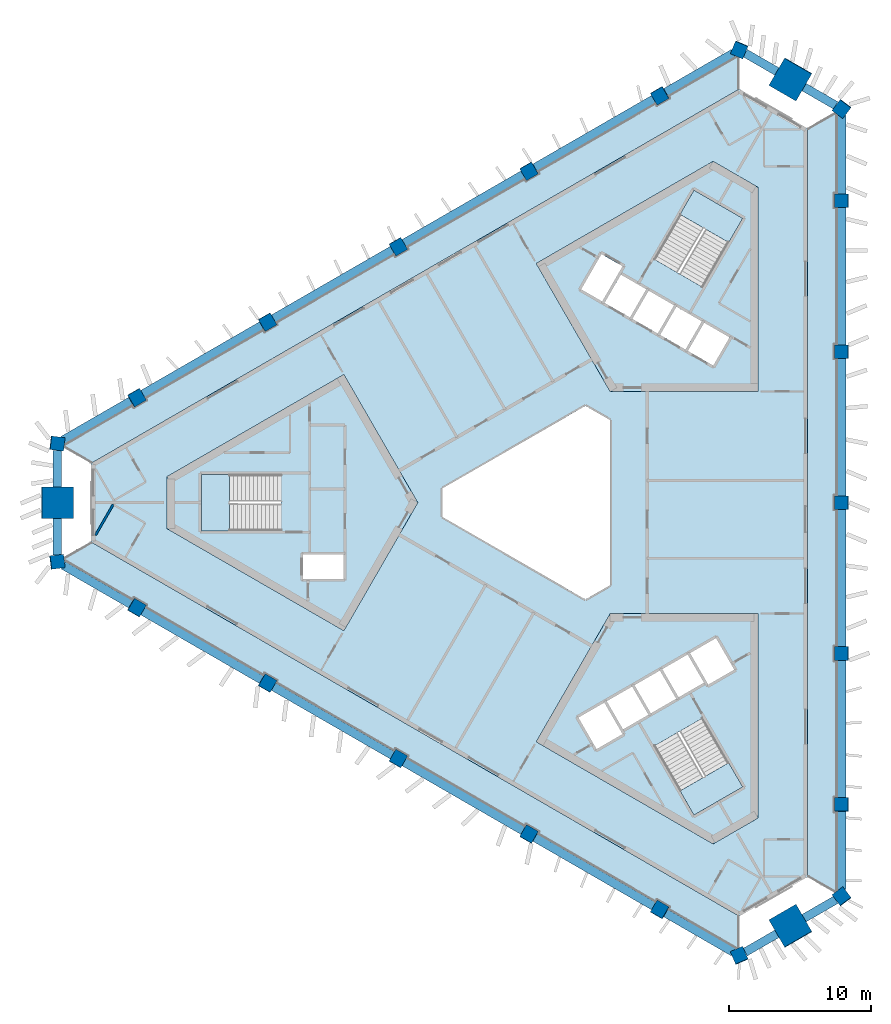
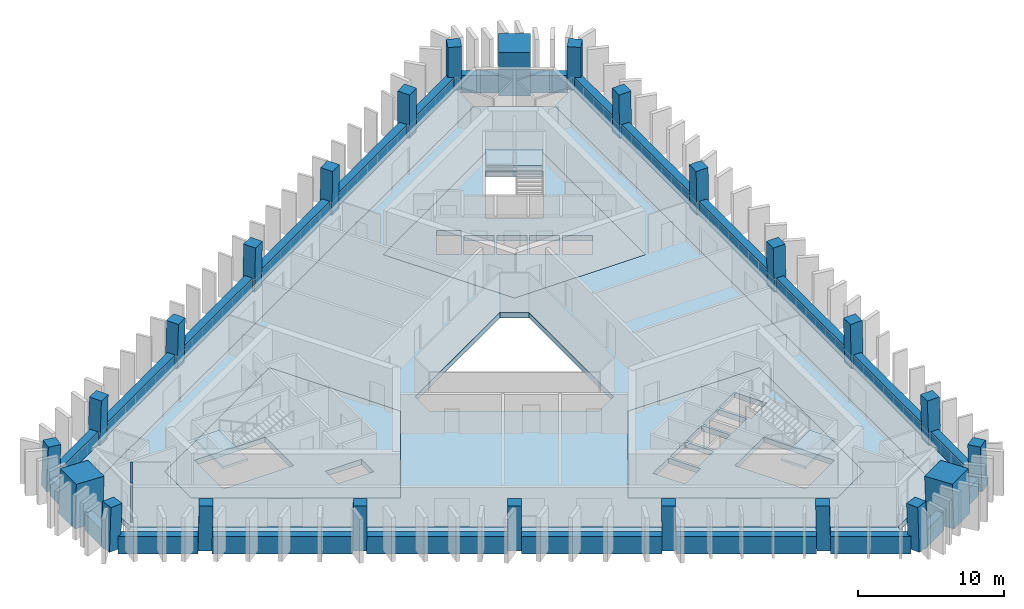
# One storey, part 1 of 9: 24 beams, 24 columns, 10 slabs, 1 wall, 3 elements without a shape of their own.
"""IFC4 building model written with IfcOpenShell, lengths in metres."""

from ifc_helpers import new_model, si_unit, direction, frame, frame_2d, origin, origin_2d, place, context, subcontext, project, spatial, polyline, rectangle, outline, extrude, material, layer, layer_set, material_profile, profile_set, type_object, element, aggregate, save


model = new_model("IFC4")

# Units and contexts
model_context = context("Model", 3, precision=1e-05, world=origin(), true_north=direction((0.0, 1.0)))
body_context = subcontext(model_context, "Body", "Model", "MODEL_VIEW")
ifc_project = project(units=[si_unit("LENGTHUNIT", "METRE"), si_unit("AREAUNIT", "SQUARE_METRE"), si_unit("VOLUMEUNIT", "CUBIC_METRE"), si_unit("PLANEANGLEUNIT", "RADIAN"), si_unit("MASSUNIT", "GRAM", prefix="KILO")], contexts=[model_context])

# Site, building, storey
site_placement = place(None, origin())
site = spatial("IfcSite", under=ifc_project, at=site_placement, CompositionType="ELEMENT")
building_placement = place(site_placement, origin())
building = spatial("IfcBuilding", under=site, at=building_placement, Name="Jabali Bay Hotel Tower and Convention Centre", CompositionType="ELEMENT")
storey_placement = place(building_placement, frame((0.0, 0.0, 193.300048828125)))
storey = spatial("IfcBuildingStorey", under=building, at=storey_placement, Name="L47", CompositionType="ELEMENT", Elevation=193.300048828125)

# Columns
ifc_material_1 = material(Name="Concrete C60", Category="concrete")
ifc_material_profile_1 = material_profile(ifc_material_1, rectangle(XDim=0.949951171875, YDim=0.949951171875, at=origin_2d()), Name="Frame column 950")
ifc_profile_set_1 = profile_set([ifc_material_profile_1], Name="Concrete C60")
column_type_1 = type_object("IfcColumnType", Name="Frame column 950", PredefinedType="COLUMN", material=ifc_profile_set_1)
column_1_placement = place(storey_placement, frame((82.98046875, 108.5712890625, 0.0), z_axis=(-0.008310502618, -0.028163369983, 0.999568787096), x_axis=(0.864766604783, 0.501720959522, 0.021325994188)))
element("IfcColumn", 1, at=column_1_placement, inside=storey, type_object=column_type_1, Name="FC4 F1.1 L47", PredefinedType="COLUMN", context=body_context, shape_type="SweptSolid", body=[
    extrude(rectangle(XDim=0.949951171875, YDim=0.949951171875, at=origin_2d()), origin(), (0.0, 0.0, 1.0), 3.70166015625),
])
column_2_placement = place(storey_placement, frame((73.802001953125, 103.27197265625, 0.0), z_axis=(0.000857578916, -0.022824792675, 0.999739112668), x_axis=(0.866054303765, 0.499836094294, 0.010668728649)))
element("IfcColumn", 2, at=column_2_placement, inside=storey, type_object=column_type_1, Name="FC4 F1.2 L47", PredefinedType="COLUMN", context=body_context, shape_type="SweptSolid", body=[
    extrude(rectangle(XDim=0.949951171875, YDim=0.949951171875, at=origin_2d()), origin(), (0.0, 0.0, 1.0), 3.700927734375),
])
column_3_placement = place(storey_placement, frame((64.62353515625, 97.97265625, 0.0), z_axis=(0.010093620709, -0.017482414954, 0.999796221231), x_axis=(0.866020200589, 0.50000901209, 8.5616e-08)))
element("IfcColumn", 3, at=column_3_placement, inside=storey, type_object=column_type_1, Name="FC4 F1.3 L47", PredefinedType="COLUMN", context=body_context, shape_type="SweptSolid", body=[
    extrude(rectangle(XDim=0.949951171875, YDim=0.949951171875, at=origin_2d()), origin(), (0.0, 0.0, 1.0), 3.70068359375),
])
column_4_placement = place(storey_placement, frame((55.44482421875, 92.673583984375, 0.0), z_axis=(0.019328501455, -0.012204002625, 0.999738701537), x_axis=(-0.498096589224, 0.866885952098, 0.020212220507)))
element("IfcColumn", 4, at=column_4_placement, inside=storey, type_object=column_type_1, Name="FC4 F1.4 L47", PredefinedType="COLUMN", context=body_context, shape_type="SweptSolid", body=[
    extrude(rectangle(XDim=0.949951171875, YDim=0.949951171875, at=origin_2d()), origin(), (0.0, 0.0, 1.0), 3.700927734375),
])
for number, where, z_axis, x_axis, name in (
    (5, (46.266357421875, 87.374267578125, 0.0), (0.02855911485, -0.006793507689, 0.999569019734), (-0.500407643461, 0.865554709988, 0.020180049142), "FC4 F1.5 L47"),
    (6, (46.266357421875, 72.625732421875, 0.0), (0.02855911485, 0.006793507689, 0.999569019734), (-0.865318766308, 0.500768301983, 0.021319953197), "FC4 F2.1 L47"),
):
    element("IfcColumn", number, at=place(storey_placement, frame(where, z_axis=z_axis, x_axis=x_axis)), inside=storey, type_object=column_type_1, Name=name, PredefinedType="COLUMN", context=body_context, shape_type="SweptSolid", body=[
        extrude(rectangle(XDim=0.949951171875, YDim=0.949951171875, at=origin_2d()), origin(), (0.0, 0.0, 1.0), 3.70166015625),
    ])
column_5_placement = place(storey_placement, frame((55.44482421875, 67.326416015625, 0.0), z_axis=(0.019328501455, 0.012204002625, 0.999738701537), x_axis=(-0.866906106124, 0.498357109285, 0.010676834304)))
element("IfcColumn", 7, at=column_5_placement, inside=storey, type_object=column_type_1, Name="FC4 F2.2 L47", PredefinedType="COLUMN", context=body_context, shape_type="SweptSolid", body=[
    extrude(rectangle(XDim=0.949951171875, YDim=0.949951171875, at=origin_2d()), origin(), (0.0, 0.0, 1.0), 3.700927734375),
])
column_6_placement = place(storey_placement, frame((64.62353515625, 62.02734375, 0.0), z_axis=(0.010093620709, 0.017482414954, 0.999796221231), x_axis=(-0.499907122366, -0.865843723195, 0.020187025824)))
element("IfcColumn", 8, at=column_6_placement, inside=storey, type_object=column_type_1, Name="FC4 F2.3 L47", PredefinedType="COLUMN", context=body_context, shape_type="SweptSolid", body=[
    extrude(rectangle(XDim=0.949951171875, YDim=0.949951171875, at=origin_2d()), origin(), (0.0, 0.0, 1.0), 3.70068359375),
])
column_7_placement = place(storey_placement, frame((73.802001953125, 56.72802734375, 0.0), z_axis=(0.000857578916, 0.022824792675, 0.999739112668), x_axis=(-0.499949204908, -0.865819211891, 0.020196158824)))
element("IfcColumn", 9, at=column_7_placement, inside=storey, type_object=column_type_1, Name="FC4 F2.4 L47", PredefinedType="COLUMN", context=body_context, shape_type="SweptSolid", body=[
    extrude(rectangle(XDim=0.949951171875, YDim=0.949951171875, at=origin_2d()), origin(), (0.0, 0.0, 1.0), 3.700927734375),
])
for number, where, z_axis, x_axis, name in (
    (10, (82.98046875, 51.4287109375, 0.0), (-0.008310502618, 0.028163369983, 0.999568787096), (-0.502105222835, -0.864570935995, 0.020185188492), "FC4 F2.5 L47"),
    (11, (95.753173828125, 58.802978515625, 0.0), (-0.020182659751, 0.021303918626, 0.999569308901), (0.000221583953, -0.999772833408, 0.021312730444), "FC4 F0.1 L47"),
):
    element("IfcColumn", number, at=place(storey_placement, frame(where, z_axis=z_axis, x_axis=x_axis)), inside=storey, type_object=column_type_1, Name=name, PredefinedType="COLUMN", context=body_context, shape_type="SweptSolid", body=[
        extrude(rectangle(XDim=0.949951171875, YDim=0.949951171875, at=origin_2d()), origin(), (0.0, 0.0, 1.0), 3.70166015625),
    ])
column_8_placement = place(storey_placement, frame((95.753173828125, 69.4013671875, 0.0), z_axis=(-0.020186088539, 0.010686752756, 0.999739123544), x_axis=(-0.001028908277, -0.999942564287, 0.010668152391)))
element("IfcColumn", 12, at=column_8_placement, inside=storey, type_object=column_type_1, Name="FC4 F0.2 L47", PredefinedType="COLUMN", context=body_context, shape_type="SweptSolid", body=[
    extrude(rectangle(XDim=0.949951171875, YDim=0.949951171875, at=origin_2d()), origin(), (0.0, 0.0, 1.0), 3.700927734375),
])
column_9_placement = place(storey_placement, frame((95.753173828125, 80.0, 0.0), z_axis=(-0.020187241331, 0.0, 0.99979621688), x_axis=(0.0, -1.0, 0.0)))
element("IfcColumn", 13, at=column_9_placement, inside=storey, type_object=column_type_1, Name="FC4 F0.3 L47", PredefinedType="COLUMN", context=body_context, shape_type="SweptSolid", body=[
    extrude(rectangle(XDim=0.949951171875, YDim=0.949951171875, at=origin_2d()), origin(), (0.0, 0.0, 1.0), 3.70068359375),
])
column_10_placement = place(storey_placement, frame((95.753173828125, 90.5986328125, 0.0), z_axis=(-0.020186088539, -0.010686752756, 0.999739123544), x_axis=(0.999795710722, 0.00081329159, 0.020195924825)))
element("IfcColumn", 14, at=column_10_placement, inside=storey, type_object=column_type_1, Name="FC4 F0.4 L47", PredefinedType="COLUMN", context=body_context, shape_type="SweptSolid", body=[
    extrude(rectangle(XDim=0.949951171875, YDim=0.949951171875, at=origin_2d()), origin(), (0.0, 0.0, 1.0), 3.700927734375),
])
column_11_placement = place(storey_placement, frame((95.753173828125, 101.197021484375, 0.0), z_axis=(-0.020182659751, -0.021303918626, 0.999569308901), x_axis=(0.999796284823, -0.000651636106, 0.020173354318)))
element("IfcColumn", 15, at=column_11_placement, inside=storey, type_object=column_type_1, Name="FC4 F0.5 L47", PredefinedType="COLUMN", context=body_context, shape_type="SweptSolid", body=[
    extrude(rectangle(XDim=0.949951171875, YDim=0.949951171875, at=origin_2d()), origin(), (0.0, 0.0, 1.0), 3.70166015625),
])
for number, where, z_axis, x_axis, name in (
    (16, (95.753173828125, 52.3544921875, 0.0), (-0.020178741915, 0.029015184452, 0.999375273581), (-0.799848308071, -0.60020084672, 0.001275802724), "FC4 V0 L47"),
    (17, (95.753173828125, 107.6455078125, 0.0), (-0.020178741915, -0.029015184452, 0.999375273581), (0.599862903046, 0.799322877608, 0.035319044175), "FC4 V1 L47"),
    (18, (88.565185546875, 111.795654296875, 0.0), (-0.015035141917, -0.031982648376, 0.99937533225), (0.919749964483, -0.392502706261, 0.001276092337), "FC4 V2 L47"),
    (19, (40.681640625, 84.14990234375, 0.0), (0.03521388716, -0.002967462401, 0.999375393092), (-0.992164414229, 0.119843979966, 0.035315656635), "FC4 V3 L47"),
    (20, (40.681640625, 75.85009765625, 0.0), (0.03521388716, 0.002967462401, 0.999375393092), (-0.119873922472, 0.99278830303, 0.001275961792), "FC4 V4 L47"),
    (21, (88.565185546875, 48.204345703125, 0.0), (-0.015035141917, 0.031982648376, 0.99937533225), (0.392216709666, -0.919194612572, 0.0353173736), "FC4 V5 L47"),
):
    element("IfcColumn", number, at=place(storey_placement, frame(where, z_axis=z_axis, x_axis=x_axis)), inside=storey, type_object=column_type_1, Name=name, PredefinedType="COLUMN", context=body_context, shape_type="SweptSolid", body=[
        extrude(rectangle(XDim=0.949951171875, YDim=0.949951171875, at=origin_2d()), origin(), (0.0, 0.0, 1.0), 3.7021484375),
    ])
ifc_material_2 = material(Name="Concrete C70", Category="concrete")
ifc_material_profile_2 = material_profile(ifc_material_2, rectangle(XDim=2.199951171875, YDim=2.199951171875, at=origin_2d()), Name="Mega column 2200")
ifc_profile_set_2 = profile_set([ifc_material_profile_2], Name="Concrete C70")
column_type_2 = type_object("IfcColumnType", Name="Mega column 2200", PredefinedType="COLUMN", material=ifc_profile_set_2)
for number, where, z_axis, x_axis, name in (
    (22, (92.1591796875, 109.720458984375, 0.0), (-0.017607037296, -0.030466109479, 0.999380712447), (0.500064653071, 0.865272876704, 0.035187946645), "MC4 M1 L47"),
    (23, (40.681640625, 80.0, 0.0), (0.035214042205, 0.0, 0.999379793288), (0.0, 1.0, 0.0), "MC4 M0 L47"),
    (24, (92.1591796875, 50.279541015625, 0.0), (-0.017607037296, 0.030466109479, 0.999380712447), (-0.865809063816, -0.500374524745, 1.32655e-07), "MC4 M2 L47"),
):
    element("IfcColumn", number, at=place(storey_placement, frame(where, z_axis=z_axis, x_axis=x_axis)), inside=storey, type_object=column_type_2, Name=name, PredefinedType="COLUMN", context=body_context, shape_type="SweptSolid", body=[
        extrude(rectangle(XDim=2.199951171875, YDim=2.199951171875, at=origin_2d()), origin(), (0.0, 0.0, 1.0), 3.7021484375),
    ])

# Beams
ifc_material_profile_3 = material_profile(ifc_material_1, rectangle(XDim=0.60009765625, YDim=1.449951171875, at=origin_2d()), Name="Spandrel 600x1450")
ifc_profile_set_3 = profile_set([ifc_material_profile_3], Name="Concrete C60")
beam_type = type_object("IfcBeamType", Name="Spandrel 600x1450", PredefinedType="SPANDREL", material=ifc_profile_set_3)
beam_1_placement = place(storey_placement, frame((91.199951171875, 110.259033203125, 0.375), z_axis=(-0.865992871316, 0.500056343656, 0.0), x_axis=(-0.500056343656, -0.865992871316, 0.0)))
element("IfcBeam", 25, at=beam_1_placement, inside=storey, type_object=beam_type, Name="Spandrel M1-V2 L47", PredefinedType="SPANDREL", context=body_context, shape_type="SweptSolid", body=[
    extrude(rectangle(XDim=0.60009765625, YDim=1.449951171875, at=origin_2d()), origin(), (0.0, 0.0, 1.0), 2.573974609375),
])
beam_2_placement = place(storey_placement, frame((88.148193359375, 111.546142578125, 0.375), z_axis=(-0.866003591944, -0.500037777312, 0.0), x_axis=(0.500037777312, -0.866003591944, 0.0)))
element("IfcBeam", 26, at=beam_2_placement, inside=storey, type_object=beam_type, Name="Spandrel V2-F1.1 L47", PredefinedType="SPANDREL", context=body_context, shape_type="SweptSolid", body=[
    extrude(rectangle(XDim=0.60009765625, YDim=1.449951171875, at=origin_2d()), origin(), (0.0, 0.0, 1.0), 5.49560546875),
])
for number, where, z_axis, x_axis, name in (
    (27, (82.566162109375, 108.3232421875, 0.375), (-0.866028773314, -0.499994163758, 0.0), (0.499994163758, -0.866028773314, 0.0), "Spandrel F1.1-F1.2 L47"),
    (28, (73.390869140625, 103.02587890625, 0.375), (-0.866022444854, -0.500005124982, 0.0), (0.500005124982, -0.866022444854, 0.0), "Spandrel F1.2-F1.3 L47"),
    (29, (64.2158203125, 97.728759765625, 0.375), (-0.866022444854, -0.500005124982, 0.0), (0.500005124982, -0.866022444854, 0.0), "Spandrel F1.3-F1.4 L47"),
    (30, (55.040771484375, 92.431396484375, 0.375), (-0.866028773314, -0.499994163758, 0.0), (0.499994163758, -0.866028773314, 0.0), "Spandrel F1.4-F1.5 L47"),
):
    element("IfcBeam", number, at=place(storey_placement, frame(where, z_axis=z_axis, x_axis=x_axis)), inside=storey, type_object=beam_type, Name=name, PredefinedType="SPANDREL", context=body_context, shape_type="SweptSolid", body=[
        extrude(rectangle(XDim=0.60009765625, YDim=1.449951171875, at=origin_2d()), origin(), (0.0, 0.0, 1.0), 9.64453125),
    ])
beam_3_placement = place(storey_placement, frame((45.86572265625, 87.13427734375, 0.375), z_axis=(-0.866033934735, -0.49998522367, 0.0), x_axis=(0.49998522367, -0.866033934735, 0.0)))
element("IfcBeam", 31, at=beam_3_placement, inside=storey, type_object=beam_type, Name="Spandrel F1.5-V3 L47", PredefinedType="SPANDREL", context=body_context, shape_type="SweptSolid", body=[
    extrude(rectangle(XDim=0.60009765625, YDim=1.449951171875, at=origin_2d()), origin(), (0.0, 0.0, 1.0), 5.495849609375),
])
for number, where, z_axis, x_axis, name in (
    (32, (40.69482421875, 83.673828125, 0.375), (0.0, -1.0, 0.0), (1.0, 0.0, 0.0), "Spandrel V3-M0 L47"),
    (33, (40.69482421875, 78.89990234375, 0.375), (0.0, -1.0, 0.0), (1.0, 0.0, 0.0), "Spandrel M0-V4 L47"),
):
    element("IfcBeam", number, at=place(storey_placement, frame(where, z_axis=z_axis, x_axis=x_axis)), inside=storey, type_object=beam_type, Name=name, PredefinedType="SPANDREL", context=body_context, shape_type="SweptSolid", body=[
        extrude(rectangle(XDim=0.60009765625, YDim=1.449951171875, at=origin_2d()), origin(), (0.0, 0.0, 1.0), 2.57373046875),
    ])
beam_4_placement = place(storey_placement, frame((41.106201171875, 75.613525390625, 0.375), z_axis=(0.866033934735, -0.49998522367, 0.0), x_axis=(0.49998522367, 0.866033934735, 0.0)))
element("IfcBeam", 34, at=beam_4_placement, inside=storey, type_object=beam_type, Name="Spandrel V4-F2.1 L47", PredefinedType="SPANDREL", context=body_context, shape_type="SweptSolid", body=[
    extrude(rectangle(XDim=0.60009765625, YDim=1.449951171875, at=origin_2d()), origin(), (0.0, 0.0, 1.0), 5.495849609375),
])
for number, where, z_axis, x_axis, name in (
    (35, (46.688232421875, 72.390869140625, 0.375), (0.866028773314, -0.499994163758, 0.0), (0.499994163758, 0.866028773314, 0.0), "Spandrel F2.1-F2.2 L47"),
    (36, (55.863525390625, 67.093505859375, 0.375), (0.866022444854, -0.500005124982, 0.0), (0.500005124982, 0.866022444854, 0.0), "Spandrel F2.2-F2.3 L47"),
    (37, (65.03857421875, 61.79638671875, 0.375), (0.866022444854, -0.500005124982, 0.0), (0.500005124982, 0.866022444854, 0.0), "Spandrel F2.3-F2.4 L47"),
    (38, (74.213623046875, 56.4990234375, 0.375), (0.866028773314, -0.499994163758, 0.0), (0.499994163758, 0.866028773314, 0.0), "Spandrel F2.4-F2.5 L47"),
):
    element("IfcBeam", number, at=place(storey_placement, frame(where, z_axis=z_axis, x_axis=x_axis)), inside=storey, type_object=beam_type, Name=name, PredefinedType="SPANDREL", context=body_context, shape_type="SweptSolid", body=[
        extrude(rectangle(XDim=0.60009765625, YDim=1.449951171875, at=origin_2d()), origin(), (0.0, 0.0, 1.0), 9.64453125),
    ])
beam_5_placement = place(storey_placement, frame((83.388916015625, 51.201904296875, 0.375), z_axis=(0.866003591944, -0.500037777312, 0.0), x_axis=(0.500037777312, 0.866003591944, 0.0)))
element("IfcBeam", 39, at=beam_5_placement, inside=storey, type_object=beam_type, Name="Spandrel F2.5-V5 L47", PredefinedType="SPANDREL", context=body_context, shape_type="SweptSolid", body=[
    extrude(rectangle(XDim=0.60009765625, YDim=1.449951171875, at=origin_2d()), origin(), (0.0, 0.0, 1.0), 5.49560546875),
])
for number, where, z_axis, x_axis, name in (
    (40, (88.970947265625, 48.453857421875, 0.375), (0.865992871316, 0.500056343656, 0.0), (-0.500056343656, 0.865992871316, 0.0), "Spandrel V5-M2 L47"),
    (41, (93.105224609375, 50.8408203125, 0.375), (0.865992871316, 0.500056343656, 0.0), (-0.500056343656, 0.865992871316, 0.0), "Spandrel M2-V0 L47"),
):
    element("IfcBeam", number, at=place(storey_placement, frame(where, z_axis=z_axis, x_axis=x_axis)), inside=storey, type_object=beam_type, Name=name, PredefinedType="SPANDREL", context=body_context, shape_type="SweptSolid", body=[
        extrude(rectangle(XDim=0.60009765625, YDim=1.449951171875, at=origin_2d()), origin(), (0.0, 0.0, 1.0), 2.573974609375),
    ])
beam_6_placement = place(storey_placement, frame((95.74560546875, 52.84033203125, 0.375), z_axis=(0.0, 1.0, 0.0), x_axis=(-1.0, 0.0, 0.0)))
element("IfcBeam", 42, at=beam_6_placement, inside=storey, type_object=beam_type, Name="Spandrel V0-F0.1 L47", PredefinedType="SPANDREL", context=body_context, shape_type="SweptSolid", body=[
    extrude(rectangle(XDim=0.60009765625, YDim=1.449951171875, at=origin_2d()), origin(), (0.0, 0.0, 1.0), 5.49560546875),
])
for number, where, z_axis, x_axis, name in (
    (43, (95.74560546875, 59.285888671875, 0.375), (0.0, 1.0, 0.0), (-1.0, 0.0, 0.0), "Spandrel F0.1-F0.2 L47"),
    (44, (95.74560546875, 69.88037109375, 0.375), (0.0, 1.0, 0.0), (-1.0, 0.0, 0.0), "Spandrel F0.2-F0.3 L47"),
    (45, (95.74560546875, 80.47509765625, 0.375), (0.0, 1.0, 0.0), (-1.0, 0.0, 0.0), "Spandrel F0.3-F0.4 L47"),
    (46, (95.74560546875, 91.069580078125, 0.375), (0.0, 1.0, 0.0), (-1.0, 0.0, 0.0), "Spandrel F0.4-F0.5 L47"),
):
    element("IfcBeam", number, at=place(storey_placement, frame(where, z_axis=z_axis, x_axis=x_axis)), inside=storey, type_object=beam_type, Name=name, PredefinedType="SPANDREL", context=body_context, shape_type="SweptSolid", body=[
        extrude(rectangle(XDim=0.60009765625, YDim=1.449951171875, at=origin_2d()), origin(), (0.0, 0.0, 1.0), 9.64453125),
    ])
beam_7_placement = place(storey_placement, frame((95.74560546875, 101.6640625, 0.375), z_axis=(0.0, 1.0, 0.0), x_axis=(-1.0, 0.0, 0.0)))
element("IfcBeam", 47, at=beam_7_placement, inside=storey, type_object=beam_type, Name="Spandrel F0.5-V1 L47", PredefinedType="SPANDREL", context=body_context, shape_type="SweptSolid", body=[
    extrude(rectangle(XDim=0.60009765625, YDim=1.449951171875, at=origin_2d()), origin(), (0.0, 0.0, 1.0), 5.49560546875),
])
beam_8_placement = place(storey_placement, frame((95.334228515625, 107.8720703125, 0.375), z_axis=(-0.865992871316, 0.500056343656, 0.0), x_axis=(-0.500056343656, -0.865992871316, 0.0)))
element("IfcBeam", 48, at=beam_8_placement, inside=storey, type_object=beam_type, Name="Spandrel V1-M1 L47", PredefinedType="SPANDREL", context=body_context, shape_type="SweptSolid", body=[
    extrude(rectangle(XDim=0.60009765625, YDim=1.449951171875, at=origin_2d()), origin(), (0.0, 0.0, 1.0), 2.573974609375),
])

# Slabs
ifc_material_3 = material(Name="Concrete C40", Category="concrete")
ifc_layer_1 = layer(ifc_material_3, 0.449951171875)
ifc_layer_set_1 = layer_set([ifc_layer_1], Name="Concrete C40")
slab_type_1 = type_object("IfcSlabType", Name="Core floor slab 450", PredefinedType="FLOOR", material=ifc_layer_set_1)
slab_1_placement = place(storey_placement, frame((0.0, 0.0, -0.449951171875)))
element("IfcSlab", 49, at=slab_1_placement, inside=storey, type_object=slab_type_1, Name="Core floor slab 1 L47", PredefinedType="FLOOR", context=body_context, shape_type="SweptSolid", body=[
    extrude(outline(polyline([(66.0, 80.0), (60.81005859375, 88.9892578125), (48.39697265625, 81.82275390625), (48.39697265625, 78.17724609375), (60.81005859375, 71.0107421875), (66.0, 80.0)]), holes=[polyline([(60.800048828125, 76.35009765625), (57.949951171875, 76.35009765625), (57.949951171875, 74.64990234375), (60.800048828125, 74.64990234375), (60.800048828125, 76.35009765625)]), polyline([(50.820068359375, 81.97509765625), (50.820068359375, 78.02490234375), (56.409912109375, 78.02490234375), (56.409912109375, 81.97509765625), (50.820068359375, 81.97509765625)])]), origin(), (0.0, 0.0, 1.0), 0.449951171875),
])
slab_2_placement = place(storey_placement, frame((0.0, 0.0, -0.449951171875)))
element("IfcSlab", 50, at=slab_2_placement, inside=storey, type_object=slab_type_1, Name="Core floor slab 2 L47", PredefinedType="FLOOR", context=body_context, shape_type="SweptSolid", body=[
    extrude(outline(polyline([(79.5, 87.794189453125), (89.8798828125, 87.794189453125), (89.8798828125, 102.127685546875), (86.72314453125, 103.9501953125), (74.31005859375, 96.78369140625), (79.5, 87.794189453125)]), holes=[polyline([(84.957763671875, 90.6474609375), (86.733154296875, 89.62255859375), (87.873291015625, 91.59716796875), (86.097900390625, 92.6220703125), (84.957763671875, 90.6474609375)]), polyline([(84.1494140625, 93.7470703125), (83.00927734375, 91.7724609375), (84.78466796875, 90.74755859375), (85.924560546875, 92.72216796875), (84.1494140625, 93.7470703125)]), polyline([(82.20068359375, 94.8720703125), (81.060791015625, 92.8974609375), (82.836181640625, 91.87255859375), (83.97607421875, 93.84716796875), (82.20068359375, 94.8720703125)]), polyline([(79.1123046875, 94.0224609375), (80.887451171875, 92.99755859375), (82.027587890625, 94.97216796875), (80.252197265625, 95.9970703125), (79.1123046875, 94.0224609375)]), polyline([(78.891845703125, 97.440673828125), (77.466796875, 94.97265625), (78.93896484375, 94.12255859375), (80.364013671875, 96.5908203125), (78.891845703125, 97.440673828125)]), polyline([(82.584716796875, 97.0869140625), (86.00537109375, 95.11181640625), (88.80029296875, 99.952880859375), (85.379638671875, 101.927978515625), (82.584716796875, 97.0869140625)])]), origin(), (0.0, 0.0, 1.0), 0.449951171875),
])
slab_3_placement = place(storey_placement, frame((0.0, 0.0, -0.449951171875)))
element("IfcSlab", 51, at=slab_3_placement, inside=storey, type_object=slab_type_1, Name="Core floor slab 3 L47", PredefinedType="FLOOR", context=body_context, shape_type="SweptSolid", body=[
    extrude(outline(polyline([(79.5, 72.205810546875), (74.31005859375, 63.21630859375), (86.72314453125, 56.0498046875), (89.8798828125, 57.872314453125), (89.8798828125, 72.205810546875), (79.5, 72.205810546875)]), holes=[polyline([(82.584716796875, 62.9130859375), (85.379638671875, 58.072021484375), (88.80029296875, 60.047119140625), (86.00537109375, 64.88818359375), (82.584716796875, 62.9130859375)]), polyline([(80.365478515625, 63.756591796875), (79.090576171875, 65.96484375), (77.27197265625, 64.9150390625), (78.546875, 62.70654296875), (80.365478515625, 63.756591796875)]), polyline([(82.17919921875, 65.115478515625), (81.0390625, 67.08984375), (79.263671875, 66.06494140625), (80.40380859375, 64.09033203125), (82.17919921875, 65.115478515625)]), polyline([(82.98779296875, 68.21484375), (81.21240234375, 67.18994140625), (82.352294921875, 65.21533203125), (84.127685546875, 66.240478515625), (82.98779296875, 68.21484375)]), polyline([(86.076171875, 67.365478515625), (84.936279296875, 69.33984375), (83.160888671875, 68.31494140625), (84.30078125, 66.34033203125), (86.076171875, 67.365478515625)]), polyline([(88.203125, 68.281494140625), (86.927978515625, 70.489990234375), (85.109375, 69.43994140625), (86.384521484375, 67.231689453125), (88.203125, 68.281494140625)])]), origin(), (0.0, 0.0, 1.0), 0.449951171875),
])
ifc_layer_2 = layer(ifc_material_3, 0.199951171875)
ifc_layer_set_2 = layer_set([ifc_layer_2], Name="Concrete C40")
slab_type_2 = type_object("IfcSlabType", Name="Loggia slab 200", PredefinedType="FLOOR", material=ifc_layer_set_2)
slab_4_placement = place(storey_placement, frame((0.0, 0.0, -0.199951171875)))
element("IfcSlab", 52, at=slab_4_placement, inside=storey, type_object=slab_type_2, Name="Loggia slab east face L47", PredefinedType="FLOOR", context=body_context, shape_type="SweptSolid", body=[
    extrude(outline(polyline([(93.35302734375, 106.260009765625), (95.305908203125, 107.387451171875), (95.453125, 107.27685546875), (95.453125, 101.672119140625), (95.278076171875, 101.672119140625), (95.278076171875, 100.721923828125), (95.453125, 100.721923828125), (95.453125, 91.073486328125), (95.278076171875, 91.073486328125), (95.278076171875, 90.12353515625), (95.453125, 90.12353515625), (95.453125, 80.47509765625), (95.278076171875, 80.47509765625), (95.278076171875, 79.52490234375), (95.453125, 79.52490234375), (95.453125, 69.87646484375), (95.278076171875, 69.87646484375), (95.278076171875, 68.926513671875), (95.453125, 68.926513671875), (95.453125, 59.278076171875), (95.278076171875, 59.278076171875), (95.278076171875, 58.327880859375), (95.453125, 58.327880859375), (95.453125, 52.72314453125), (95.305908203125, 52.612548828125), (93.35302734375, 53.739990234375), (93.35302734375, 106.260009765625)])), origin(), (0.0, 0.0, 1.0), 0.199951171875),
])
slab_5_placement = place(storey_placement, frame((0.0, 0.0, -0.199951171875)))
element("IfcSlab", 53, at=slab_5_placement, inside=storey, type_object=slab_type_2, Name="Loggia slab north-west face L47", PredefinedType="FLOOR", context=body_context, shape_type="SweptSolid", body=[
    extrude(outline(polyline([(43.081787109375, 82.764404296875), (41.12890625, 83.891845703125), (41.151123046875, 84.074462890625), (46.0048828125, 86.876953125), (46.09228515625, 86.725341796875), (46.9150390625, 87.200439453125), (46.82763671875, 87.35205078125), (55.18359375, 92.17626953125), (55.27099609375, 92.024658203125), (56.09375, 92.499755859375), (56.006103515625, 92.651123046875), (64.362060546875, 97.475341796875), (64.449462890625, 97.323974609375), (65.272216796875, 97.798828125), (65.184814453125, 97.950439453125), (73.54052734375, 102.774658203125), (73.628173828125, 102.623046875), (74.450927734375, 103.09814453125), (74.36328125, 103.249755859375), (82.71923828125, 108.073974609375), (82.806640625, 107.92236328125), (83.62939453125, 108.3974609375), (83.5419921875, 108.549072265625), (88.395751953125, 111.351318359375), (88.565185546875, 111.279052734375), (88.565185546875, 109.024169921875), (43.081787109375, 82.764404296875)])), origin(), (0.0, 0.0, 1.0), 0.199951171875),
])
slab_6_placement = place(storey_placement, frame((0.0, 0.0, -0.199951171875)))
element("IfcSlab", 54, at=slab_6_placement, inside=storey, type_object=slab_type_2, Name="Loggia slab south-west face L47", PredefinedType="FLOOR", context=body_context, shape_type="SweptSolid", body=[
    extrude(outline(polyline([(88.565185546875, 50.975830078125), (88.565185546875, 48.720947265625), (88.395751953125, 48.648681640625), (83.5419921875, 51.450927734375), (83.62939453125, 51.6025390625), (82.806640625, 52.07763671875), (82.71923828125, 51.926025390625), (74.36328125, 56.750244140625), (74.450927734375, 56.90185546875), (73.628173828125, 57.376953125), (73.54052734375, 57.225341796875), (65.184814453125, 62.049560546875), (65.272216796875, 62.201171875), (64.449462890625, 62.676025390625), (64.362060546875, 62.524658203125), (56.006103515625, 67.348876953125), (56.09375, 67.500244140625), (55.27099609375, 67.975341796875), (55.18359375, 67.82373046875), (46.82763671875, 72.64794921875), (46.9150390625, 72.799560546875), (46.09228515625, 73.274658203125), (46.0048828125, 73.123046875), (41.151123046875, 75.925537109375), (41.12890625, 76.108154296875), (43.081787109375, 77.235595703125), (88.565185546875, 50.975830078125)])), origin(), (0.0, 0.0, 1.0), 0.199951171875),
])
ifc_layer_3 = layer(ifc_material_3, 0.449951171875)
ifc_layer_set_3 = layer_set([ifc_layer_3], Name="Concrete C40")
slab_type_3 = type_object("IfcSlabType", Name="Post-tensioned flat slab 450", PredefinedType="FLOOR", material=ifc_layer_set_3)
slab_7_placement = place(storey_placement, frame((0.0, 0.0, -0.449951171875)))
element("IfcSlab", 55, at=slab_7_placement, inside=storey, type_object=slab_type_3, Name="Floor slab L47", PredefinedType="FLOOR", context=body_context, shape_type="SweptSolid", body=[
    extrude(outline(polyline([(88.565185546875, 109.024169921875), (93.35302734375, 106.260009765625), (93.35302734375, 53.739990234375), (88.565185546875, 50.975830078125), (43.081787109375, 77.235595703125), (43.081787109375, 82.764404296875), (88.565185546875, 109.024169921875)]), holes=[polyline([(67.73193359375, 79.0), (77.76806640625, 73.205810546875), (79.5, 74.205810546875), (79.5, 85.794189453125), (77.76806640625, 86.794189453125), (67.73193359375, 81.0), (67.73193359375, 79.0)]), polyline([(48.39697265625, 78.17724609375), (60.81005859375, 71.0107421875), (66.0, 80.0), (60.81005859375, 88.9892578125), (48.39697265625, 81.82275390625), (48.39697265625, 78.17724609375)]), polyline([(89.8798828125, 102.127685546875), (86.72314453125, 103.9501953125), (74.31005859375, 96.78369140625), (79.5, 87.794189453125), (89.8798828125, 87.794189453125), (89.8798828125, 102.127685546875)]), polyline([(74.31005859375, 63.21630859375), (86.72314453125, 56.0498046875), (89.8798828125, 57.872314453125), (89.8798828125, 72.205810546875), (79.5, 72.205810546875), (74.31005859375, 63.21630859375)])]), origin(), (0.0, 0.0, 1.0), 0.449951171875),
])

# Stair, slab
stair_type = type_object("IfcStairType", Name="Exit stair 1900", PredefinedType="HALF_TURN_STAIR", material=ifc_material_3)
stair_1_placement = place(storey_placement, origin())
stair_1 = element("IfcStair", 56, at=stair_1_placement, inside=storey, type_object=stair_type, Name="L47 Exit Stair 1", PredefinedType="HALF_TURN_STAIR")
ifc_layer_4 = layer(ifc_material_3, 0.199951171875)
ifc_layer_set_4 = layer_set([ifc_layer_4], Name="Concrete C40")
slab_type_4 = type_object("IfcSlabType", Name="Stair landing 200", PredefinedType="LANDING", material=ifc_layer_set_4)
slab_8_placement = place(storey_placement, frame((0.0, 0.0, 1.64990234375)))
slab_8 = element("IfcSlab", 57, at=slab_8_placement, type_object=slab_type_4, Name="ST1 landing 1", PredefinedType="LANDING", context=body_context, shape_type="SweptSolid", body=[
    extrude(outline(polyline([(52.782958984375, 81.97509765625), (50.820068359375, 81.97509765625), (50.820068359375, 78.02490234375), (52.782958984375, 78.02490234375), (52.782958984375, 81.97509765625)])), origin(), (0.0, 0.0, 1.0), 0.199951171875),
])
aggregate(stair_1, [slab_8])

stair_2_placement = place(storey_placement, origin())
stair_2 = element("IfcStair", 58, at=stair_2_placement, inside=storey, type_object=stair_type, Name="L47 Exit Stair 2", PredefinedType="HALF_TURN_STAIR")
slab_9_placement = place(storey_placement, frame((0.0, 0.0, 1.64990234375)))
slab_9 = element("IfcSlab", 59, at=slab_9_placement, type_object=slab_type_4, Name="ST2 landing 1", PredefinedType="LANDING", context=body_context, shape_type="SweptSolid", body=[
    extrude(outline(polyline([(87.81884765625, 98.2529296875), (88.80029296875, 99.952880859375), (85.379638671875, 101.927978515625), (84.398193359375, 100.22802734375), (87.81884765625, 98.2529296875)])), origin(), (0.0, 0.0, 1.0), 0.199951171875),
])
aggregate(stair_2, [slab_9])

stair_3_placement = place(storey_placement, origin())
stair_3 = element("IfcStair", 60, at=stair_3_placement, inside=storey, type_object=stair_type, Name="L47 Exit Stair 3", PredefinedType="HALF_TURN_STAIR")
slab_10_placement = place(storey_placement, frame((0.0, 0.0, 1.64990234375)))
slab_10 = element("IfcSlab", 61, at=slab_10_placement, type_object=slab_type_4, Name="ST3 landing 1", PredefinedType="LANDING", context=body_context, shape_type="SweptSolid", body=[
    extrude(outline(polyline([(84.398193359375, 59.77197265625), (85.379638671875, 58.072021484375), (88.80029296875, 60.047119140625), (87.81884765625, 61.7470703125), (84.398193359375, 59.77197265625)])), origin(), (0.0, 0.0, 1.0), 0.199951171875),
])
aggregate(stair_3, [slab_10])

# Wall
ifc_material_4 = material(Name="Plasterboard on steel stud", Category="steel")
ifc_layer_5 = layer(ifc_material_4, 0.14990234375)
ifc_layer_set_5 = layer_set([ifc_layer_5], Name="Plasterboard on steel stud")
wall_type = type_object("IfcWallType", Name="Partition 150 wet", PredefinedType="PARTITIONING", material=ifc_layer_set_5)
wall_placement = place(storey_placement, frame((43.380615234375, 77.7177734375, 0.0), z_axis=(0.0, 0.0, 1.0), x_axis=(0.499943602543, 0.866057962423, 0.0)))
element("IfcWall", 62, at=wall_placement, inside=storey, type_object=wall_type, Name="Partition P03 L47 027", PredefinedType="PARTITIONING", context=body_context, shape_type="SweptSolid", body=[
    extrude(rectangle(XDim=2.484619140625, YDim=0.14990234375, at=frame_2d((1.2421875, 0.0))), origin(), (0.0, 0.0, 1.0), 3.300048828125),
])

save(model, "model.ifc")
